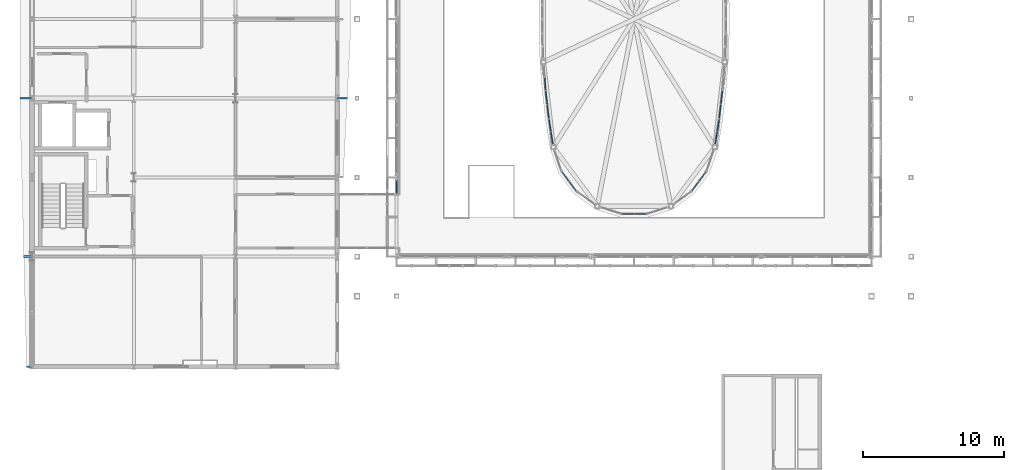
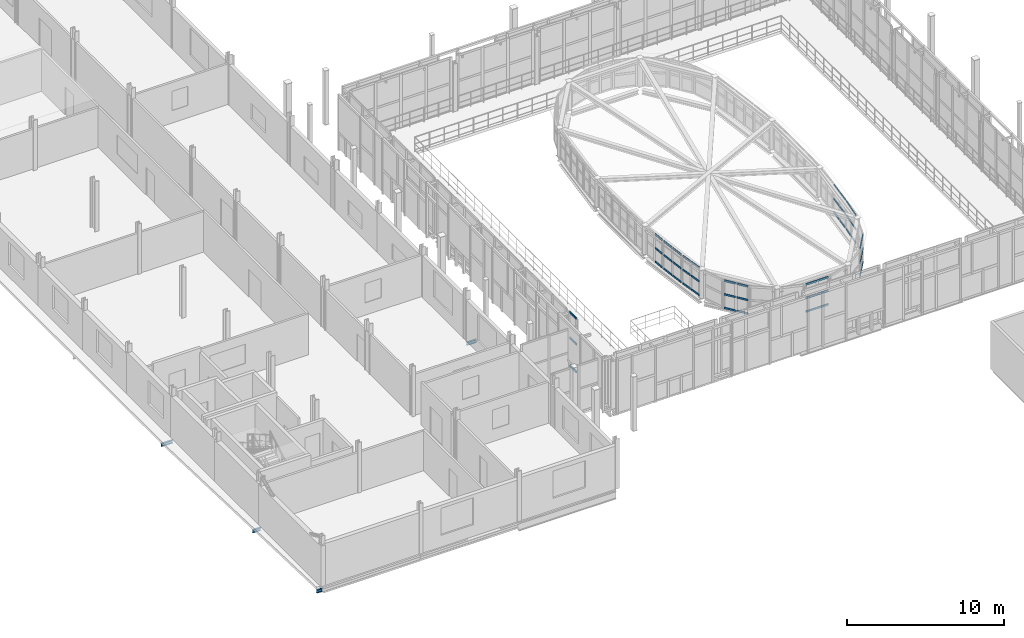
# One storey, part 45 of 78: 48 members, 4 beams, 9 elements without a shape of their own.
"""IFC4 building model written with IfcOpenShell, lengths in metres."""

from ifc_helpers import new_model, si_unit, direction, frame, origin, origin_2d, place, context, subcontext, project, spatial, hollow_rectangle, i_section, extrude, material, layer, layer_set, material_profile, profile_set, type_object, element, aggregate, save


model = new_model("IFC4")

# Units and contexts
model_context = context("Model", 3, precision=1e-05, world=origin(), true_north=direction((0.0, 1.0)))
body_context = subcontext(model_context, "Body", "Model", "MODEL_VIEW")
ifc_project = project(units=[si_unit("LENGTHUNIT", "METRE"), si_unit("AREAUNIT", "SQUARE_METRE"), si_unit("VOLUMEUNIT", "CUBIC_METRE"), si_unit("PLANEANGLEUNIT", "RADIAN"), si_unit("MASSUNIT", "GRAM", prefix="KILO")], contexts=[model_context])

# Site, building, storey
site_placement = place(None, origin())
site = spatial("IfcSite", under=ifc_project, at=site_placement, CompositionType="ELEMENT")
building_placement = place(site_placement, origin())
building = spatial("IfcBuilding", under=site, at=building_placement, Name="Vinh Khe Railworks Police Headquarters", CompositionType="ELEMENT")
storey_placement = place(building_placement, frame((0.0, 0.0, 13.199951171875)))
storey = spatial("IfcBuildingStorey", under=building, at=storey_placement, Name="L03", CompositionType="ELEMENT", Elevation=13.199951171875)

# Beams
ifc_material_1 = material(Name="Steel S355JR", Category="steel")
ifc_material_profile_1 = material_profile(ifc_material_1, i_section(OverallWidth=0.1201171875, OverallDepth=0.239990234375, WebThickness=0.006103515625, FlangeThickness=0.009765625, FilletRadius=0.014892578125, at=origin_2d()), Name="IPE 240")
ifc_profile_set_1 = profile_set([ifc_material_profile_1], Name="Steel S355JR")
beam_type = type_object("IfcBeamType", Name="Monsoon Hood Outrigger IPE 240", PredefinedType="BEAM", material=ifc_profile_set_1)
beam_1_placement = place(storey_placement, frame((0.21142578125, 17.39990234375, -0.35986328125), z_axis=(1.0, 0.0, 0.0), x_axis=(0.0, 1.0, 0.0)))
element("IfcBeam", 1, at=beam_1_placement, inside=storey, type_object=beam_type, Name="Monsoon Sun-Hood Outrigger L03-041", PredefinedType="BEAM", context=body_context, shape_type="SweptSolid", body=[
    extrude(i_section(OverallWidth=0.1201171875, OverallDepth=0.239990234375, WebThickness=0.006103515625, FlangeThickness=0.009765625, FilletRadius=0.014892578125, at=origin_2d()), origin(), (0.0, 0.0, 1.0), 0.388671875),
])
beam_2_placement = place(storey_placement, frame((0.01318359375, 25.199951171875, -0.35986328125), z_axis=(1.0, 0.0, 0.0), x_axis=(0.0, 1.0, 0.0)))
element("IfcBeam", 2, at=beam_2_placement, inside=storey, type_object=beam_type, Name="Monsoon Sun-Hood Outrigger L03-042", PredefinedType="BEAM", context=body_context, shape_type="SweptSolid", body=[
    extrude(i_section(OverallWidth=0.1201171875, OverallDepth=0.239990234375, WebThickness=0.006103515625, FlangeThickness=0.009765625, FilletRadius=0.014892578125, at=origin_2d()), origin(), (0.0, 0.0, 1.0), 0.5869140625),
])
beam_3_placement = place(storey_placement, frame((-0.25, 36.39990234375, -0.35986328125), z_axis=(1.0, 0.0, 0.0), x_axis=(0.0, 1.0, 0.0)))
element("IfcBeam", 3, at=beam_3_placement, inside=storey, type_object=beam_type, Name="Monsoon Sun-Hood Outrigger L03-043", PredefinedType="BEAM", context=body_context, shape_type="SweptSolid", body=[
    extrude(i_section(OverallWidth=0.1201171875, OverallDepth=0.239990234375, WebThickness=0.006103515625, FlangeThickness=0.009765625, FilletRadius=0.014892578125, at=origin_2d()), origin(), (0.0, 0.0, 1.0), 0.85009765625),
])
beam_4_placement = place(storey_placement, frame((22.199951171875, 36.39990234375, -0.35986328125), z_axis=(1.0, 0.0, 0.0), x_axis=(0.0, 1.0, 0.0)))
element("IfcBeam", 4, at=beam_4_placement, inside=storey, type_object=beam_type, Name="Monsoon Sun-Hood Outrigger L03-053", PredefinedType="BEAM", context=body_context, shape_type="SweptSolid", body=[
    extrude(i_section(OverallWidth=0.1201171875, OverallDepth=0.239990234375, WebThickness=0.006103515625, FlangeThickness=0.009765625, FilletRadius=0.014892578125, at=origin_2d()), origin(), (0.0, 0.0, 1.0), 0.70703125),
])

# Curtain wall, members
ifc_material_2 = material(Name="Anodised aluminium and acoustic laminated glass", Category="aluminium")
ifc_layer_1 = layer(ifc_material_2, 0.159912109375)
ifc_layer_set_1 = layer_set([ifc_layer_1], Name="Anodised aluminium and acoustic laminated glass")
curtain_wall_type_1 = type_object("IfcCurtainWallType", Name="CW-DRUM-CHORD", PredefinedType="USERDEFINED", material=ifc_layer_set_1)
curtain_wall_1_placement = place(storey_placement, origin())
curtain_wall_1 = element("IfcCurtainWall", 5, at=curtain_wall_1_placement, inside=storey, type_object=curtain_wall_type_1, Name="Elliptical Command Drum Glazing L03 Chord 1", ObjectType="DRUM FACADE GLAZING", PredefinedType="USERDEFINED")
ifc_material_3 = material(Name="Anodised aluminium 6063-T6", Category="aluminium")
ifc_material_profile_2 = material_profile(ifc_material_3, hollow_rectangle(XDim=0.06494140625, YDim=0.139892578125, WallThickness=0.00390625, at=origin_2d()), Name="CW-T 65x140x4")
ifc_profile_set_2 = profile_set([ifc_material_profile_2], Name="Anodised aluminium 6063-T6")
member_type_1 = type_object("IfcMemberType", Name="TRAN-CWT-02", PredefinedType="USERDEFINED", material=ifc_profile_set_2)
member_1_placement = place(storey_placement, frame((48.950927734375, 33.188232421875, 0.032470703125), z_axis=(0.153417265336, 0.988161496263, 0.0), x_axis=(-0.988161496263, 0.153417265336, 0.0)))
member_1 = element("IfcMember", 6, at=member_1_placement, type_object=member_type_1, Name="CW-02 transom 1.1", ObjectType="TRANSOM", PredefinedType="USERDEFINED", context=body_context, shape_type="SweptSolid", body=[
    extrude(hollow_rectangle(XDim=0.06494140625, YDim=0.139892578125, WallThickness=0.00390625, at=origin_2d()), origin(), (0.0, 0.0, 1.0), 0.82275390625),
])
member_2_placement = place(storey_placement, frame((48.950927734375, 33.188232421875, 1.090087890625), z_axis=(0.153417265336, 0.988161496263, 0.0), x_axis=(-0.988161496263, 0.153417265336, 0.0)))
member_2 = element("IfcMember", 7, at=member_2_placement, type_object=member_type_1, Name="CW-02 transom 1.2", ObjectType="TRANSOM", PredefinedType="USERDEFINED", context=body_context, shape_type="SweptSolid", body=[
    extrude(hollow_rectangle(XDim=0.06494140625, YDim=0.139892578125, WallThickness=0.00390625, at=origin_2d()), origin(), (0.0, 0.0, 1.0), 0.82275390625),
])
member_3_placement = place(storey_placement, frame((48.950927734375, 33.188232421875, 2.1474609375), z_axis=(0.153417265336, 0.988161496263, 0.0), x_axis=(-0.988161496263, 0.153417265336, 0.0)))
member_3 = element("IfcMember", 8, at=member_3_placement, type_object=member_type_1, Name="CW-02 transom 1.3", ObjectType="TRANSOM", PredefinedType="USERDEFINED", context=body_context, shape_type="SweptSolid", body=[
    extrude(hollow_rectangle(XDim=0.06494140625, YDim=0.139892578125, WallThickness=0.00390625, at=origin_2d()), origin(), (0.0, 0.0, 1.0), 0.82275390625),
])
member_4_placement = place(storey_placement, frame((49.087158203125, 34.0654296875, 0.032470703125), z_axis=(0.153707006282, 0.988116468955, 0.0), x_axis=(-0.988116468955, 0.153707006282, 0.0)))
member_4 = element("IfcMember", 9, at=member_4_placement, type_object=member_type_1, Name="CW-02 transom 2.1", ObjectType="TRANSOM", PredefinedType="USERDEFINED", context=body_context, shape_type="SweptSolid", body=[
    extrude(hollow_rectangle(XDim=0.06494140625, YDim=0.139892578125, WallThickness=0.00390625, at=origin_2d()), origin(), (0.0, 0.0, 1.0), 0.82275390625),
])
member_5_placement = place(storey_placement, frame((49.087158203125, 34.0654296875, 1.090087890625), z_axis=(0.153707006282, 0.988116468955, 0.0), x_axis=(-0.988116468955, 0.153707006282, 0.0)))
member_5 = element("IfcMember", 10, at=member_5_placement, type_object=member_type_1, Name="CW-02 transom 2.2", ObjectType="TRANSOM", PredefinedType="USERDEFINED", context=body_context, shape_type="SweptSolid", body=[
    extrude(hollow_rectangle(XDim=0.06494140625, YDim=0.139892578125, WallThickness=0.00390625, at=origin_2d()), origin(), (0.0, 0.0, 1.0), 0.82275390625),
])
member_6_placement = place(storey_placement, frame((49.087158203125, 34.0654296875, 2.1474609375), z_axis=(0.153707006282, 0.988116468955, 0.0), x_axis=(-0.988116468955, 0.153707006282, 0.0)))
member_6 = element("IfcMember", 11, at=member_6_placement, type_object=member_type_1, Name="CW-02 transom 2.3", ObjectType="TRANSOM", PredefinedType="USERDEFINED", context=body_context, shape_type="SweptSolid", body=[
    extrude(hollow_rectangle(XDim=0.06494140625, YDim=0.139892578125, WallThickness=0.00390625, at=origin_2d()), origin(), (0.0, 0.0, 1.0), 0.82275390625),
])
aggregate(curtain_wall_1, [member_1, member_2, member_3, member_4, member_5, member_6])

curtain_wall_2_placement = place(storey_placement, origin())
curtain_wall_2 = element("IfcCurtainWall", 12, at=curtain_wall_2_placement, inside=storey, type_object=curtain_wall_type_1, Name="Elliptical Command Drum Glazing L03 Chord 2", ObjectType="DRUM FACADE GLAZING", PredefinedType="USERDEFINED")
member_7_placement = place(storey_placement, frame((49.23095703125, 35.007080078125, 0.032470703125), z_axis=(0.115415034378, 0.993317356055, 0.0), x_axis=(-0.993317356055, 0.115415034378, 0.0)))
member_7 = element("IfcMember", 13, at=member_7_placement, type_object=member_type_1, Name="CW-02 transom 1.1", ObjectType="TRANSOM", PredefinedType="USERDEFINED", context=body_context, shape_type="SweptSolid", body=[
    extrude(hollow_rectangle(XDim=0.06494140625, YDim=0.139892578125, WallThickness=0.00390625, at=origin_2d()), origin(), (0.0, 0.0, 1.0), 0.913818359375),
])
member_8_placement = place(storey_placement, frame((49.23095703125, 35.007080078125, 1.090087890625), z_axis=(0.115415034378, 0.993317356055, 0.0), x_axis=(-0.993317356055, 0.115415034378, 0.0)))
member_8 = element("IfcMember", 14, at=member_8_placement, type_object=member_type_1, Name="CW-02 transom 1.2", ObjectType="TRANSOM", PredefinedType="USERDEFINED", context=body_context, shape_type="SweptSolid", body=[
    extrude(hollow_rectangle(XDim=0.06494140625, YDim=0.139892578125, WallThickness=0.00390625, at=origin_2d()), origin(), (0.0, 0.0, 1.0), 0.913818359375),
])
member_9_placement = place(storey_placement, frame((49.23095703125, 35.007080078125, 2.1474609375), z_axis=(0.115415034378, 0.993317356055, 0.0), x_axis=(-0.993317356055, 0.115415034378, 0.0)))
member_9 = element("IfcMember", 15, at=member_9_placement, type_object=member_type_1, Name="CW-02 transom 1.3", ObjectType="TRANSOM", PredefinedType="USERDEFINED", context=body_context, shape_type="SweptSolid", body=[
    extrude(hollow_rectangle(XDim=0.06494140625, YDim=0.139892578125, WallThickness=0.00390625, at=origin_2d()), origin(), (0.0, 0.0, 1.0), 0.913818359375),
])
member_10_placement = place(storey_placement, frame((49.34375, 35.979248046875, 0.032470703125), z_axis=(0.115415034378, 0.993317356055, 0.0), x_axis=(-0.993317356055, 0.115415034378, 0.0)))
member_10 = element("IfcMember", 16, at=member_10_placement, type_object=member_type_1, Name="CW-02 transom 2.1", ObjectType="TRANSOM", PredefinedType="USERDEFINED", context=body_context, shape_type="SweptSolid", body=[
    extrude(hollow_rectangle(XDim=0.06494140625, YDim=0.139892578125, WallThickness=0.00390625, at=origin_2d()), origin(), (0.0, 0.0, 1.0), 0.913818359375),
])
member_11_placement = place(storey_placement, frame((49.34375, 35.979248046875, 1.090087890625), z_axis=(0.115415034378, 0.993317356055, 0.0), x_axis=(-0.993317356055, 0.115415034378, 0.0)))
member_11 = element("IfcMember", 17, at=member_11_placement, type_object=member_type_1, Name="CW-02 transom 2.2", ObjectType="TRANSOM", PredefinedType="USERDEFINED", context=body_context, shape_type="SweptSolid", body=[
    extrude(hollow_rectangle(XDim=0.06494140625, YDim=0.139892578125, WallThickness=0.00390625, at=origin_2d()), origin(), (0.0, 0.0, 1.0), 0.913818359375),
])
member_12_placement = place(storey_placement, frame((49.34375, 35.979248046875, 2.1474609375), z_axis=(0.115415034378, 0.993317356055, 0.0), x_axis=(-0.993317356055, 0.115415034378, 0.0)))
member_12 = element("IfcMember", 18, at=member_12_placement, type_object=member_type_1, Name="CW-02 transom 2.3", ObjectType="TRANSOM", PredefinedType="USERDEFINED", context=body_context, shape_type="SweptSolid", body=[
    extrude(hollow_rectangle(XDim=0.06494140625, YDim=0.139892578125, WallThickness=0.00390625, at=origin_2d()), origin(), (0.0, 0.0, 1.0), 0.913818359375),
])
aggregate(curtain_wall_2, [member_7, member_8, member_9, member_10, member_11, member_12])

curtain_wall_3_placement = place(storey_placement, origin())
curtain_wall_3 = element("IfcCurtainWall", 19, at=curtain_wall_3_placement, inside=storey, type_object=curtain_wall_type_1, Name="Elliptical Command Drum Glazing L03 Chord 25", ObjectType="DRUM FACADE GLAZING", PredefinedType="USERDEFINED")
member_13_placement = place(storey_placement, frame((36.875, 37.836669921875, 0.032470703125), z_axis=(0.076855340427, -0.997042254194, 0.0), x_axis=(0.997042254194, 0.076855340427, 0.0)))
member_13 = element("IfcMember", 20, at=member_13_placement, type_object=member_type_1, Name="CW-02 transom 2.1", ObjectType="TRANSOM", PredefinedType="USERDEFINED", context=body_context, shape_type="SweptSolid", body=[
    extrude(hollow_rectangle(XDim=0.06494140625, YDim=0.139892578125, WallThickness=0.00390625, at=origin_2d()), origin(), (0.0, 0.0, 1.0), 0.82275390625),
])
member_14_placement = place(storey_placement, frame((36.875, 37.836669921875, 1.090087890625), z_axis=(0.076855340427, -0.997042254194, 0.0), x_axis=(0.997042254194, 0.076855340427, 0.0)))
member_14 = element("IfcMember", 21, at=member_14_placement, type_object=member_type_1, Name="CW-02 transom 2.2", ObjectType="TRANSOM", PredefinedType="USERDEFINED", context=body_context, shape_type="SweptSolid", body=[
    extrude(hollow_rectangle(XDim=0.06494140625, YDim=0.139892578125, WallThickness=0.00390625, at=origin_2d()), origin(), (0.0, 0.0, 1.0), 0.82275390625),
])
member_15_placement = place(storey_placement, frame((36.875, 37.836669921875, 2.1474609375), z_axis=(0.076855340427, -0.997042254194, 0.0), x_axis=(0.997042254194, 0.076855340427, 0.0)))
member_15 = element("IfcMember", 22, at=member_15_placement, type_object=member_type_1, Name="CW-02 transom 2.3", ObjectType="TRANSOM", PredefinedType="USERDEFINED", context=body_context, shape_type="SweptSolid", body=[
    extrude(hollow_rectangle(XDim=0.06494140625, YDim=0.139892578125, WallThickness=0.00390625, at=origin_2d()), origin(), (0.0, 0.0, 1.0), 0.82275390625),
])
aggregate(curtain_wall_3, [member_13, member_14, member_15])

curtain_wall_4_placement = place(storey_placement, origin())
curtain_wall_4 = element("IfcCurtainWall", 23, at=curtain_wall_4_placement, inside=storey, type_object=curtain_wall_type_1, Name="Elliptical Command Drum Glazing L03 Chord 26", ObjectType="DRUM FACADE GLAZING", PredefinedType="USERDEFINED")
member_16_placement = place(storey_placement, frame((36.95068359375, 36.886962890625, 0.032470703125), z_axis=(0.115415034378, -0.993317356055, 0.0), x_axis=(0.993317356055, 0.115415034378, 0.0)))
member_16 = element("IfcMember", 24, at=member_16_placement, type_object=member_type_1, Name="CW-02 transom 1.1", ObjectType="TRANSOM", PredefinedType="USERDEFINED", context=body_context, shape_type="SweptSolid", body=[
    extrude(hollow_rectangle(XDim=0.06494140625, YDim=0.139892578125, WallThickness=0.00390625, at=origin_2d()), origin(), (0.0, 0.0, 1.0), 0.913818359375),
])
member_17_placement = place(storey_placement, frame((36.95068359375, 36.886962890625, 1.090087890625), z_axis=(0.115415034378, -0.993317356055, 0.0), x_axis=(0.993317356055, 0.115415034378, 0.0)))
member_17 = element("IfcMember", 25, at=member_17_placement, type_object=member_type_1, Name="CW-02 transom 1.2", ObjectType="TRANSOM", PredefinedType="USERDEFINED", context=body_context, shape_type="SweptSolid", body=[
    extrude(hollow_rectangle(XDim=0.06494140625, YDim=0.139892578125, WallThickness=0.00390625, at=origin_2d()), origin(), (0.0, 0.0, 1.0), 0.913818359375),
])
member_18_placement = place(storey_placement, frame((36.95068359375, 36.886962890625, 2.1474609375), z_axis=(0.115415034378, -0.993317356055, 0.0), x_axis=(0.993317356055, 0.115415034378, 0.0)))
member_18 = element("IfcMember", 26, at=member_18_placement, type_object=member_type_1, Name="CW-02 transom 1.3", ObjectType="TRANSOM", PredefinedType="USERDEFINED", context=body_context, shape_type="SweptSolid", body=[
    extrude(hollow_rectangle(XDim=0.06494140625, YDim=0.139892578125, WallThickness=0.00390625, at=origin_2d()), origin(), (0.0, 0.0, 1.0), 0.913818359375),
])
member_19_placement = place(storey_placement, frame((37.063720703125, 35.914794921875, 0.032470703125), z_axis=(0.115151416561, -0.993347950752, 0.0), x_axis=(0.993347950752, 0.115151416561, 0.0)))
member_19 = element("IfcMember", 27, at=member_19_placement, type_object=member_type_1, Name="CW-02 transom 2.1", ObjectType="TRANSOM", PredefinedType="USERDEFINED", context=body_context, shape_type="SweptSolid", body=[
    extrude(hollow_rectangle(XDim=0.06494140625, YDim=0.139892578125, WallThickness=0.00390625, at=origin_2d()), origin(), (0.0, 0.0, 1.0), 0.913818359375),
])
member_20_placement = place(storey_placement, frame((37.063720703125, 35.914794921875, 1.090087890625), z_axis=(0.115151416561, -0.993347950752, 0.0), x_axis=(0.993347950752, 0.115151416561, 0.0)))
member_20 = element("IfcMember", 28, at=member_20_placement, type_object=member_type_1, Name="CW-02 transom 2.2", ObjectType="TRANSOM", PredefinedType="USERDEFINED", context=body_context, shape_type="SweptSolid", body=[
    extrude(hollow_rectangle(XDim=0.06494140625, YDim=0.139892578125, WallThickness=0.00390625, at=origin_2d()), origin(), (0.0, 0.0, 1.0), 0.913818359375),
])
member_21_placement = place(storey_placement, frame((37.063720703125, 35.914794921875, 2.1474609375), z_axis=(0.115151416561, -0.993347950752, 0.0), x_axis=(0.993347950752, 0.115151416561, 0.0)))
member_21 = element("IfcMember", 29, at=member_21_placement, type_object=member_type_1, Name="CW-02 transom 2.3", ObjectType="TRANSOM", PredefinedType="USERDEFINED", context=body_context, shape_type="SweptSolid", body=[
    extrude(hollow_rectangle(XDim=0.06494140625, YDim=0.139892578125, WallThickness=0.00390625, at=origin_2d()), origin(), (0.0, 0.0, 1.0), 0.913818359375),
])
aggregate(curtain_wall_4, [member_16, member_17, member_18, member_19, member_20, member_21])

curtain_wall_5_placement = place(storey_placement, origin())
curtain_wall_5 = element("IfcCurtainWall", 30, at=curtain_wall_5_placement, inside=storey, type_object=curtain_wall_type_1, Name="Elliptical Command Drum Glazing L03 Chord 27", ObjectType="DRUM FACADE GLAZING", PredefinedType="USERDEFINED")
member_22_placement = place(storey_placement, frame((37.1865234375, 34.87841796875, 0.032470703125), z_axis=(0.153417265336, -0.988161496263, 0.0), x_axis=(0.988161496263, 0.153417265336, 0.0)))
member_22 = element("IfcMember", 31, at=member_22_placement, type_object=member_type_1, Name="CW-02 transom 1.1", ObjectType="TRANSOM", PredefinedType="USERDEFINED", context=body_context, shape_type="SweptSolid", body=[
    extrude(hollow_rectangle(XDim=0.06494140625, YDim=0.139892578125, WallThickness=0.00390625, at=origin_2d()), origin(), (0.0, 0.0, 1.0), 0.82275390625),
])
member_23_placement = place(storey_placement, frame((37.1865234375, 34.87841796875, 1.090087890625), z_axis=(0.153417265336, -0.988161496263, 0.0), x_axis=(0.988161496263, 0.153417265336, 0.0)))
member_23 = element("IfcMember", 32, at=member_23_placement, type_object=member_type_1, Name="CW-02 transom 1.2", ObjectType="TRANSOM", PredefinedType="USERDEFINED", context=body_context, shape_type="SweptSolid", body=[
    extrude(hollow_rectangle(XDim=0.06494140625, YDim=0.139892578125, WallThickness=0.00390625, at=origin_2d()), origin(), (0.0, 0.0, 1.0), 0.82275390625),
])
member_24_placement = place(storey_placement, frame((37.1865234375, 34.87841796875, 2.1474609375), z_axis=(0.153417265336, -0.988161496263, 0.0), x_axis=(0.988161496263, 0.153417265336, 0.0)))
member_24 = element("IfcMember", 33, at=member_24_placement, type_object=member_type_1, Name="CW-02 transom 1.3", ObjectType="TRANSOM", PredefinedType="USERDEFINED", context=body_context, shape_type="SweptSolid", body=[
    extrude(hollow_rectangle(XDim=0.06494140625, YDim=0.139892578125, WallThickness=0.00390625, at=origin_2d()), origin(), (0.0, 0.0, 1.0), 0.82275390625),
])
member_25_placement = place(storey_placement, frame((37.32275390625, 34.001220703125, 0.032470703125), z_axis=(0.153417265336, -0.988161496263, 0.0), x_axis=(0.988161496263, 0.153417265336, 0.0)))
member_25 = element("IfcMember", 34, at=member_25_placement, type_object=member_type_1, Name="CW-02 transom 2.1", ObjectType="TRANSOM", PredefinedType="USERDEFINED", context=body_context, shape_type="SweptSolid", body=[
    extrude(hollow_rectangle(XDim=0.06494140625, YDim=0.139892578125, WallThickness=0.00390625, at=origin_2d()), origin(), (0.0, 0.0, 1.0), 0.82275390625),
])
member_26_placement = place(storey_placement, frame((37.32275390625, 34.001220703125, 1.090087890625), z_axis=(0.153417265336, -0.988161496263, 0.0), x_axis=(0.988161496263, 0.153417265336, 0.0)))
member_26 = element("IfcMember", 35, at=member_26_placement, type_object=member_type_1, Name="CW-02 transom 2.2", ObjectType="TRANSOM", PredefinedType="USERDEFINED", context=body_context, shape_type="SweptSolid", body=[
    extrude(hollow_rectangle(XDim=0.06494140625, YDim=0.139892578125, WallThickness=0.00390625, at=origin_2d()), origin(), (0.0, 0.0, 1.0), 0.82275390625),
])
member_27_placement = place(storey_placement, frame((37.32275390625, 34.001220703125, 2.1474609375), z_axis=(0.153417265336, -0.988161496263, 0.0), x_axis=(0.988161496263, 0.153417265336, 0.0)))
member_27 = element("IfcMember", 36, at=member_27_placement, type_object=member_type_1, Name="CW-02 transom 2.3", ObjectType="TRANSOM", PredefinedType="USERDEFINED", context=body_context, shape_type="SweptSolid", body=[
    extrude(hollow_rectangle(XDim=0.06494140625, YDim=0.139892578125, WallThickness=0.00390625, at=origin_2d()), origin(), (0.0, 0.0, 1.0), 0.82275390625),
])
aggregate(curtain_wall_5, [member_22, member_23, member_24, member_25, member_26, member_27])

curtain_wall_6_placement = place(storey_placement, origin())
curtain_wall_6 = element("IfcCurtainWall", 37, at=curtain_wall_6_placement, inside=storey, type_object=curtain_wall_type_1, Name="Elliptical Command Drum Glazing L03 Chord 29", ObjectType="DRUM FACADE GLAZING", PredefinedType="USERDEFINED")
member_28_placement = place(storey_placement, frame((38.104736328125, 31.194091796875, 0.032470703125), z_axis=(0.596475814623, -0.802631050091, 0.0), x_axis=(0.802631050091, 0.596475814623, 0.0)))
member_28 = element("IfcMember", 38, at=member_28_placement, type_object=member_type_1, Name="CW-02 transom 1.1", ObjectType="TRANSOM", PredefinedType="USERDEFINED", context=body_context, shape_type="SweptSolid", body=[
    extrude(hollow_rectangle(XDim=0.06494140625, YDim=0.139892578125, WallThickness=0.00390625, at=origin_2d()), origin(), (0.0, 0.0, 1.0), 0.79931640625),
])
member_29_placement = place(storey_placement, frame((38.104736328125, 31.194091796875, 1.090087890625), z_axis=(0.596475814623, -0.802631050091, 0.0), x_axis=(0.802631050091, 0.596475814623, 0.0)))
member_29 = element("IfcMember", 39, at=member_29_placement, type_object=member_type_1, Name="CW-02 transom 1.2", ObjectType="TRANSOM", PredefinedType="USERDEFINED", context=body_context, shape_type="SweptSolid", body=[
    extrude(hollow_rectangle(XDim=0.06494140625, YDim=0.139892578125, WallThickness=0.00390625, at=origin_2d()), origin(), (0.0, 0.0, 1.0), 0.79931640625),
])
member_30_placement = place(storey_placement, frame((38.104736328125, 31.194091796875, 2.1474609375), z_axis=(0.596475814623, -0.802631050091, 0.0), x_axis=(0.802631050091, 0.596475814623, 0.0)))
member_30 = element("IfcMember", 40, at=member_30_placement, type_object=member_type_1, Name="CW-02 transom 1.3", ObjectType="TRANSOM", PredefinedType="USERDEFINED", context=body_context, shape_type="SweptSolid", body=[
    extrude(hollow_rectangle(XDim=0.06494140625, YDim=0.139892578125, WallThickness=0.00390625, at=origin_2d()), origin(), (0.0, 0.0, 1.0), 0.79931640625),
])
member_31_placement = place(storey_placement, frame((38.620361328125, 30.500244140625, 0.032470703125), z_axis=(0.596475814623, -0.802631050091, 0.0), x_axis=(0.802631050091, 0.596475814623, 0.0)))
member_31 = element("IfcMember", 41, at=member_31_placement, type_object=member_type_1, Name="CW-02 transom 2.1", ObjectType="TRANSOM", PredefinedType="USERDEFINED", context=body_context, shape_type="SweptSolid", body=[
    extrude(hollow_rectangle(XDim=0.06494140625, YDim=0.139892578125, WallThickness=0.00390625, at=origin_2d()), origin(), (0.0, 0.0, 1.0), 0.79931640625),
])
member_32_placement = place(storey_placement, frame((38.620361328125, 30.500244140625, 1.090087890625), z_axis=(0.596475814623, -0.802631050091, 0.0), x_axis=(0.802631050091, 0.596475814623, 0.0)))
member_32 = element("IfcMember", 42, at=member_32_placement, type_object=member_type_1, Name="CW-02 transom 2.2", ObjectType="TRANSOM", PredefinedType="USERDEFINED", context=body_context, shape_type="SweptSolid", body=[
    extrude(hollow_rectangle(XDim=0.06494140625, YDim=0.139892578125, WallThickness=0.00390625, at=origin_2d()), origin(), (0.0, 0.0, 1.0), 0.79931640625),
])
member_33_placement = place(storey_placement, frame((38.620361328125, 30.500244140625, 2.1474609375), z_axis=(0.596475814623, -0.802631050091, 0.0), x_axis=(0.802631050091, 0.596475814623, 0.0)))
member_33 = element("IfcMember", 43, at=member_33_placement, type_object=member_type_1, Name="CW-02 transom 2.3", ObjectType="TRANSOM", PredefinedType="USERDEFINED", context=body_context, shape_type="SweptSolid", body=[
    extrude(hollow_rectangle(XDim=0.06494140625, YDim=0.139892578125, WallThickness=0.00390625, at=origin_2d()), origin(), (0.0, 0.0, 1.0), 0.79931640625),
])
aggregate(curtain_wall_6, [member_28, member_29, member_30, member_31, member_32, member_33])

curtain_wall_7_placement = place(storey_placement, origin())
curtain_wall_7 = element("IfcCurtainWall", 44, at=curtain_wall_7_placement, inside=storey, type_object=curtain_wall_type_1, Name="Elliptical Command Drum Glazing L03 Chord 32", ObjectType="DRUM FACADE GLAZING", PredefinedType="USERDEFINED")
member_34_placement = place(storey_placement, frame((42.367919921875, 28.21435546875, 0.032470703125), z_axis=(1.0, 0.0, 0.0), x_axis=(0.0, 1.0, 0.0)))
member_34 = element("IfcMember", 45, at=member_34_placement, type_object=member_type_1, Name="CW-02 transom 1.1", ObjectType="TRANSOM", PredefinedType="USERDEFINED", context=body_context, shape_type="SweptSolid", body=[
    extrude(hollow_rectangle(XDim=0.06494140625, YDim=0.139892578125, WallThickness=0.00390625, at=origin_2d()), origin(), (0.0, 0.0, 1.0), 0.799560546875),
])
member_35_placement = place(storey_placement, frame((42.367919921875, 28.21435546875, 1.090087890625), z_axis=(1.0, 0.0, 0.0), x_axis=(0.0, 1.0, 0.0)))
member_35 = element("IfcMember", 46, at=member_35_placement, type_object=member_type_1, Name="CW-02 transom 1.2", ObjectType="TRANSOM", PredefinedType="USERDEFINED", context=body_context, shape_type="SweptSolid", body=[
    extrude(hollow_rectangle(XDim=0.06494140625, YDim=0.139892578125, WallThickness=0.00390625, at=origin_2d()), origin(), (0.0, 0.0, 1.0), 0.799560546875),
])
member_36_placement = place(storey_placement, frame((42.367919921875, 28.21435546875, 2.1474609375), z_axis=(1.0, 0.0, 0.0), x_axis=(0.0, 1.0, 0.0)))
member_36 = element("IfcMember", 47, at=member_36_placement, type_object=member_type_1, Name="CW-02 transom 1.3", ObjectType="TRANSOM", PredefinedType="USERDEFINED", context=body_context, shape_type="SweptSolid", body=[
    extrude(hollow_rectangle(XDim=0.06494140625, YDim=0.139892578125, WallThickness=0.00390625, at=origin_2d()), origin(), (0.0, 0.0, 1.0), 0.799560546875),
])
member_37_placement = place(storey_placement, frame((43.232421875, 28.21435546875, 0.032470703125), z_axis=(1.0, 0.0, 0.0), x_axis=(0.0, 1.0, 0.0)))
member_37 = element("IfcMember", 48, at=member_37_placement, type_object=member_type_1, Name="CW-02 transom 2.1", ObjectType="TRANSOM", PredefinedType="USERDEFINED", context=body_context, shape_type="SweptSolid", body=[
    extrude(hollow_rectangle(XDim=0.06494140625, YDim=0.139892578125, WallThickness=0.00390625, at=origin_2d()), origin(), (0.0, 0.0, 1.0), 0.799560546875),
])
member_38_placement = place(storey_placement, frame((43.232421875, 28.21435546875, 1.090087890625), z_axis=(1.0, 0.0, 0.0), x_axis=(0.0, 1.0, 0.0)))
member_38 = element("IfcMember", 49, at=member_38_placement, type_object=member_type_1, Name="CW-02 transom 2.2", ObjectType="TRANSOM", PredefinedType="USERDEFINED", context=body_context, shape_type="SweptSolid", body=[
    extrude(hollow_rectangle(XDim=0.06494140625, YDim=0.139892578125, WallThickness=0.00390625, at=origin_2d()), origin(), (0.0, 0.0, 1.0), 0.799560546875),
])
member_39_placement = place(storey_placement, frame((43.232421875, 28.21435546875, 2.1474609375), z_axis=(1.0, 0.0, 0.0), x_axis=(0.0, 1.0, 0.0)))
member_39 = element("IfcMember", 50, at=member_39_placement, type_object=member_type_1, Name="CW-02 transom 2.3", ObjectType="TRANSOM", PredefinedType="USERDEFINED", context=body_context, shape_type="SweptSolid", body=[
    extrude(hollow_rectangle(XDim=0.06494140625, YDim=0.139892578125, WallThickness=0.00390625, at=origin_2d()), origin(), (0.0, 0.0, 1.0), 0.799560546875),
])
aggregate(curtain_wall_7, [member_34, member_35, member_36, member_37, member_38, member_39])

curtain_wall_8_placement = place(storey_placement, origin())
curtain_wall_8 = element("IfcCurtainWall", 51, at=curtain_wall_8_placement, inside=storey, type_object=curtain_wall_type_1, Name="Elliptical Command Drum Glazing L03 Chord 35", ObjectType="DRUM FACADE GLAZING", PredefinedType="USERDEFINED")
member_40_placement = place(storey_placement, frame((47.302734375, 29.858642578125, 0.032470703125), z_axis=(0.596475814623, 0.802631050091, 0.0), x_axis=(-0.802631050091, 0.596475814623, 0.0)))
member_40 = element("IfcMember", 52, at=member_40_placement, type_object=member_type_1, Name="CW-02 transom 1.1", ObjectType="TRANSOM", PredefinedType="USERDEFINED", context=body_context, shape_type="SweptSolid", body=[
    extrude(hollow_rectangle(XDim=0.06494140625, YDim=0.139892578125, WallThickness=0.00390625, at=origin_2d()), origin(), (0.0, 0.0, 1.0), 0.79931640625),
])
member_41_placement = place(storey_placement, frame((47.302734375, 29.858642578125, 1.090087890625), z_axis=(0.596475814623, 0.802631050091, 0.0), x_axis=(-0.802631050091, 0.596475814623, 0.0)))
member_41 = element("IfcMember", 53, at=member_41_placement, type_object=member_type_1, Name="CW-02 transom 1.2", ObjectType="TRANSOM", PredefinedType="USERDEFINED", context=body_context, shape_type="SweptSolid", body=[
    extrude(hollow_rectangle(XDim=0.06494140625, YDim=0.139892578125, WallThickness=0.00390625, at=origin_2d()), origin(), (0.0, 0.0, 1.0), 0.79931640625),
])
member_42_placement = place(storey_placement, frame((47.302734375, 29.858642578125, 2.1474609375), z_axis=(0.596475814623, 0.802631050091, 0.0), x_axis=(-0.802631050091, 0.596475814623, 0.0)))
member_42 = element("IfcMember", 54, at=member_42_placement, type_object=member_type_1, Name="CW-02 transom 1.3", ObjectType="TRANSOM", PredefinedType="USERDEFINED", context=body_context, shape_type="SweptSolid", body=[
    extrude(hollow_rectangle(XDim=0.06494140625, YDim=0.139892578125, WallThickness=0.00390625, at=origin_2d()), origin(), (0.0, 0.0, 1.0), 0.79931640625),
])
member_43_placement = place(storey_placement, frame((47.818359375, 30.552490234375, 0.032470703125), z_axis=(0.596672514384, 0.802484835108, 0.0), x_axis=(-0.802484835108, 0.596672514384, 0.0)))
member_43 = element("IfcMember", 55, at=member_43_placement, type_object=member_type_1, Name="CW-02 transom 2.1", ObjectType="TRANSOM", PredefinedType="USERDEFINED", context=body_context, shape_type="SweptSolid", body=[
    extrude(hollow_rectangle(XDim=0.06494140625, YDim=0.139892578125, WallThickness=0.00390625, at=origin_2d()), origin(), (0.0, 0.0, 1.0), 0.799560546875),
])
member_44_placement = place(storey_placement, frame((47.818359375, 30.552490234375, 1.090087890625), z_axis=(0.596672514384, 0.802484835108, 0.0), x_axis=(-0.802484835108, 0.596672514384, 0.0)))
member_44 = element("IfcMember", 56, at=member_44_placement, type_object=member_type_1, Name="CW-02 transom 2.2", ObjectType="TRANSOM", PredefinedType="USERDEFINED", context=body_context, shape_type="SweptSolid", body=[
    extrude(hollow_rectangle(XDim=0.06494140625, YDim=0.139892578125, WallThickness=0.00390625, at=origin_2d()), origin(), (0.0, 0.0, 1.0), 0.799560546875),
])
member_45_placement = place(storey_placement, frame((47.818359375, 30.552490234375, 2.1474609375), z_axis=(0.596672514384, 0.802484835108, 0.0), x_axis=(-0.802484835108, 0.596672514384, 0.0)))
member_45 = element("IfcMember", 57, at=member_45_placement, type_object=member_type_1, Name="CW-02 transom 2.3", ObjectType="TRANSOM", PredefinedType="USERDEFINED", context=body_context, shape_type="SweptSolid", body=[
    extrude(hollow_rectangle(XDim=0.06494140625, YDim=0.139892578125, WallThickness=0.00390625, at=origin_2d()), origin(), (0.0, 0.0, 1.0), 0.799560546875),
])
aggregate(curtain_wall_8, [member_40, member_41, member_42, member_43, member_44, member_45])

ifc_material_4 = material(Name="Anodised aluminium and low-iron glass", Category="aluminium")
ifc_layer_2 = layer(ifc_material_4, 0.179931640625)
ifc_layer_set_2 = layer_set([ifc_layer_2], Name="Anodised aluminium and low-iron glass")
curtain_wall_type_2 = type_object("IfcCurtainWallType", Name="CW-CUBE-UNIT", PredefinedType="USERDEFINED", material=ifc_layer_set_2)
curtain_wall_9_placement = place(storey_placement, origin())
curtain_wall_9 = element("IfcCurtainWall", 58, at=curtain_wall_9_placement, inside=storey, type_object=curtain_wall_type_2, Name="Entrance Hall Curtain Wall L03 W-1N", ObjectType="UNITISED GLAZING", PredefinedType="USERDEFINED")
ifc_material_profile_3 = material_profile(ifc_material_3, hollow_rectangle(XDim=0.070068359375, YDim=0.14990234375, WallThickness=0.0048828125, at=origin_2d()), Name="CW-T 70x150x5")
ifc_profile_set_3 = profile_set([ifc_material_profile_3], Name="Anodised aluminium 6063-T6")
member_type_2 = type_object("IfcMemberType", Name="TRAN-CWT-03", PredefinedType="USERDEFINED", material=ifc_profile_set_3)
member_46_placement = place(storey_placement, frame((26.39990234375, 29.68994140625, 0.03515625), z_axis=(0.0, 1.0, 0.0), x_axis=(-1.0, 0.0, 0.0)))
member_46 = element("IfcMember", 59, at=member_46_placement, type_object=member_type_2, Name="CW-01 transom 1.1", ObjectType="TRANSOM", PredefinedType="USERDEFINED", context=body_context, shape_type="SweptSolid", body=[
    extrude(hollow_rectangle(XDim=0.070068359375, YDim=0.14990234375, WallThickness=0.0048828125, at=origin_2d()), origin(), (0.0, 0.0, 1.0), 0.8701171875),
])
member_47_placement = place(storey_placement, frame((26.39990234375, 29.68994140625, 2.18408203125), z_axis=(0.0, 1.0, 0.0), x_axis=(-1.0, 0.0, 0.0)))
member_47 = element("IfcMember", 60, at=member_47_placement, type_object=member_type_2, Name="CW-01 transom 1.2", ObjectType="TRANSOM", PredefinedType="USERDEFINED", context=body_context, shape_type="SweptSolid", body=[
    extrude(hollow_rectangle(XDim=0.070068359375, YDim=0.14990234375, WallThickness=0.0048828125, at=origin_2d()), origin(), (0.0, 0.0, 1.0), 0.8701171875),
])
member_48_placement = place(storey_placement, frame((26.39990234375, 29.68994140625, 4.1650390625), z_axis=(0.0, 1.0, 0.0), x_axis=(-1.0, 0.0, 0.0)))
member_48 = element("IfcMember", 61, at=member_48_placement, type_object=member_type_2, Name="CW-01 transom 1.3", ObjectType="TRANSOM", PredefinedType="USERDEFINED", context=body_context, shape_type="SweptSolid", body=[
    extrude(hollow_rectangle(XDim=0.070068359375, YDim=0.14990234375, WallThickness=0.0048828125, at=origin_2d()), origin(), (0.0, 0.0, 1.0), 0.8701171875),
])
aggregate(curtain_wall_9, [member_46, member_47, member_48])

save(model, "model.ifc")
